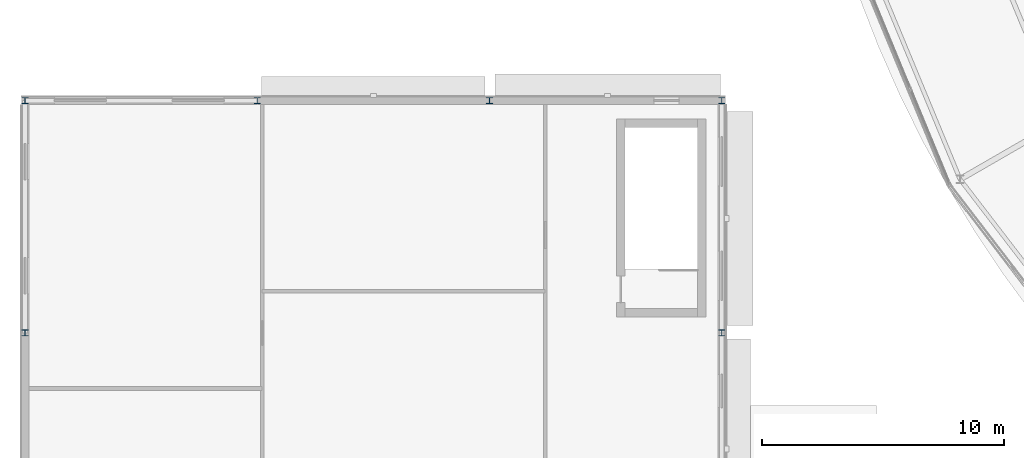
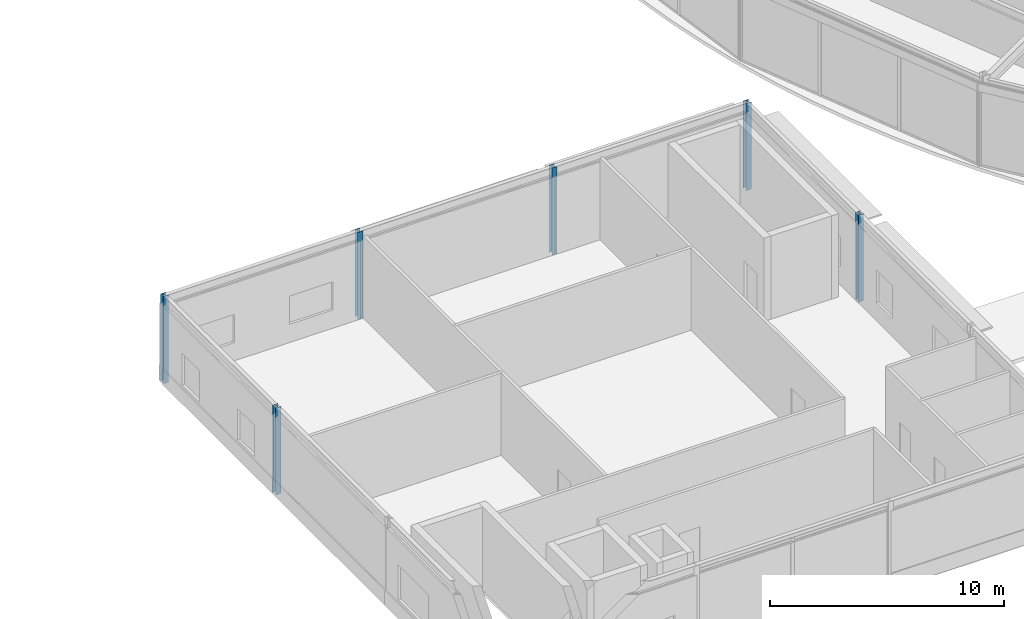
# One storey, part 2 of 133: 6 columns.
"""IFC4 building model written with IfcOpenShell, lengths in metres."""

import ifcopenshell
import ifcopenshell.guid

model = None  # the IFC model being written
_history = None  # IfcOwnerHistory: only IFC2X3 demands one
_inside = {}  # id of a spatial element -> (the spatial element, [elements in it])
_under = {}  # id of a project, library or spatial element -> (it, [spatial elements below it])
_declared = {}  # id of a project -> (the project, [libraries it declares])
_typed = {}  # id of a type object -> (the type object, [elements of that type])
_made_of = {}  # id of a material, layer set ... -> (it, [elements and type objects made of it])


def new_model(schema):
    """Start an empty IFC model of exactly this schema.

    Asked for "IFC4X3", IfcOpenShell would pick the latest addendum, in which some entities
    have other attributes; the version numbers below select the first issue.
    IFC2X3 requires an IfcOwnerHistory on every rooted entity: one is made here for all.
    """
    global model, _history
    if schema == "IFC4X3":
        model = ifcopenshell.file(schema_version=(4, 3, 0, 0))
    else:
        model = ifcopenshell.file(schema=schema)
    _inside.clear()
    _under.clear()
    _declared.clear()
    _typed.clear()
    _made_of.clear()
    _history = None
    if model.schema == "IFC2X3":
        org = make("IfcOrganization", Name="unknown")
        user = make(
            "IfcPersonAndOrganization",
            ThePerson=make("IfcPerson", FamilyName="unknown"),
            TheOrganization=org,
        )
        app = make(
            "IfcApplication",
            ApplicationDeveloper=org,
            Version="unknown",
            ApplicationFullName="unknown",
            ApplicationIdentifier="unknown",
        )
        _history = make(
            "IfcOwnerHistory",
            OwningUser=user,
            OwningApplication=app,
            ChangeAction="ADDED",
            CreationDate=0,
        )
    return model


def make(cls, **values):
    """One entity of the class cls with the attributes given. An attribute that is None is left unset."""
    return model.create_entity(
        cls, **{name: value for name, value in values.items() if value is not None}
    )


def rooted(cls, **values):
    """An entity with a GlobalId (a new one), such as an element, a storey or a relation."""
    return make(cls, GlobalId=ifcopenshell.guid.new(), OwnerHistory=_history, **values)


def si_unit(unit_type, name, prefix=None):
    """IfcSIUnit, for example si_unit("LENGTHUNIT", "METRE", prefix="MILLI")."""
    return make("IfcSIUnit", UnitType=unit_type, Prefix=prefix, Name=name)


def assignment(units):
    """IfcUnitAssignment: the units of a project."""
    return None if units is None else make("IfcUnitAssignment", Units=units)


def point(xyz):
    """IfcCartesianPoint."""
    return None if xyz is None else make("IfcCartesianPoint", Coordinates=xyz)


def direction(xyz):
    """IfcDirection."""
    return None if xyz is None else make("IfcDirection", DirectionRatios=xyz)


def frame(location, z_axis=None, x_axis=None):
    """IfcAxis2Placement3D, a coordinate frame: its origin and axes. An axis left out is left unset."""
    return make(
        "IfcAxis2Placement3D",
        Location=point(location),
        Axis=direction(z_axis),
        RefDirection=direction(x_axis),
    )


def frame_2d(location, x_axis=None):
    """IfcAxis2Placement2D, a coordinate frame in the plane: its origin and x axis."""
    return make(
        "IfcAxis2Placement2D", Location=point(location), RefDirection=direction(x_axis)
    )


def origin():
    """The frame at (0, 0, 0) with its axes left unset."""
    return frame((0.0, 0.0, 0.0))


def origin_2d():
    """The frame at (0, 0) in the plane with its x axis left unset."""
    return frame_2d((0.0, 0.0))


def place(relative_to, where):
    """IfcLocalPlacement: puts the frame where relative to a parent placement (None: the world)."""
    return make(
        "IfcLocalPlacement", PlacementRelTo=relative_to, RelativePlacement=where
    )


def context(
    kind, dimensions, precision=None, world=None, true_north=None, identifier=None
):
    """IfcGeometricRepresentationContext, for example the 3D "Model" context."""
    return make(
        "IfcGeometricRepresentationContext",
        ContextIdentifier=identifier,
        ContextType=kind,
        CoordinateSpaceDimension=dimensions,
        Precision=precision,
        WorldCoordinateSystem=world,
        TrueNorth=true_north,
    )


def subcontext(parent, identifier, kind, view, scale=None):
    """IfcGeometricRepresentationSubContext, for example "Body" below "Model"."""
    return make(
        "IfcGeometricRepresentationSubContext",
        ContextIdentifier=identifier,
        ContextType=kind,
        ParentContext=parent,
        TargetScale=scale,
        TargetView=view,
    )


def project(units=None, contexts=None):
    """IfcProject with its units and contexts."""
    return rooted(
        "IfcProject",
        Name="project",
        RepresentationContexts=contexts,
        UnitsInContext=assignment(units),
    )


def spatial(cls, under=None, at=None, **own):
    """A site, building, storey or space (cls), placed at a placement, below another one or the project."""
    s = rooted(cls, ObjectPlacement=at, **own)
    if under is not None:
        _under.setdefault(under.id(), (under, []))[1].append(s)
    return s


def profile(cls, at=None, kind="AREA", **sizes):
    """A parametric profile (cls). Its sizes go by their IFC names, for example OverallWidth=200.0."""
    return make(cls, ProfileType=kind, Position=at, **sizes)


def i_section(**sizes):
    """IfcIShapeProfileDef."""
    return profile("IfcIShapeProfileDef", **sizes)


def extrude(swept, where, along, depth):
    """IfcExtrudedAreaSolid: the profile swept, set in the frame where, extruded along a direction by depth."""
    return make(
        "IfcExtrudedAreaSolid",
        SweptArea=swept,
        Position=where,
        ExtrudedDirection=direction(along),
        Depth=depth,
    )


def shape(context_of_items, identifier, shape_type, items):
    """IfcShapeRepresentation: the items that make up one representation, for example the "Body"."""
    return make(
        "IfcShapeRepresentation",
        ContextOfItems=context_of_items,
        RepresentationIdentifier=identifier,
        RepresentationType=shape_type,
        Items=items,
    )


def material(Name=None, Category=None):
    """IfcMaterial."""
    return make("IfcMaterial", Name=Name, Category=Category)


def material_profile(
    of_material, cross_section, Name=None, Category=None, Priority=None
):
    """IfcMaterialProfile: a cross section and its material."""
    return make(
        "IfcMaterialProfile",
        Name=Name,
        Material=of_material,
        Profile=cross_section,
        Priority=Priority,
        Category=Category,
    )


def profile_set(profiles, Name=None, composite=None):
    """IfcMaterialProfileSet."""
    return make(
        "IfcMaterialProfileSet",
        Name=Name,
        MaterialProfiles=profiles,
        CompositeProfile=composite,
    )


def made_of(thing, what):
    """Note that an element or type object is made of a material, layer set ...; save() writes the relation."""
    if what is not None:
        _made_of.setdefault(what.id(), (what, []))[1].append(thing)
    return thing


def type_object(cls, material=None, **own):
    """A type object (cls), such as IfcWallType, which elements share."""
    return made_of(rooted(cls, **own), material)


def element(
    cls,
    number,
    at=None,
    inside=None,
    cuts=None,
    type_object=None,
    material=None,
    context=None,
    identifier="Body",
    shape_type=None,
    held_by="IfcProductDefinitionShape",
    body=None,
    shapes=None,
    **own,
):
    """One element of the class cls, such as IfcWall. Its Tag is "e" and its number.

    at: its placement. inside: the storey or other place that contains it. cuts: it is an
    opening in that element (IfcRelVoidsElement). A single representation is given by context,
    identifier, shape_type and body (its items); several are given by shapes. held_by: the class
    of the entity that holds the representations. save() writes the other relations.
    """
    e = rooted(cls, Tag="e%d" % number, ObjectPlacement=at, **own)
    if body is not None:
        shapes = [shape(context, identifier, shape_type, body)]
    if shapes is not None:
        e.Representation = make(held_by, Representations=shapes)
    if inside is not None:
        _inside.setdefault(inside.id(), (inside, []))[1].append(e)
    if cuts is not None:
        rooted(
            "IfcRelVoidsElement", RelatingBuildingElement=cuts, RelatedOpeningElement=e
        )
    if type_object is not None:
        _typed.setdefault(type_object.id(), (type_object, []))[1].append(e)
    return made_of(e, material)


def aggregate(whole, parts):
    """IfcRelAggregates: a whole, such as a stair, and the parts it consists of."""
    return rooted("IfcRelAggregates", RelatingObject=whole, RelatedObjects=parts)


def save(model, path):
    """Write the relations noted so far, then the file.

    IfcRelAggregates (storeys below a building ...), IfcRelContainedInSpatialStructure (elements
    in a storey), IfcRelDefinesByType, IfcRelAssociatesMaterial and IfcRelDeclares: one each for
    every whole, place, type object, material and project.
    """
    for whole, parts in _under.values():
        aggregate(whole, parts)
    for where, things in _inside.values():
        rooted(
            "IfcRelContainedInSpatialStructure",
            RelatedElements=things,
            RelatingStructure=where,
        )
    for kind, things in _typed.values():
        rooted("IfcRelDefinesByType", RelatedObjects=things, RelatingType=kind)
    for what, things in _made_of.values():
        rooted("IfcRelAssociatesMaterial", RelatedObjects=things, RelatingMaterial=what)
    for by, libraries in _declared.values():
        rooted("IfcRelDeclares", RelatingContext=by, RelatedDefinitions=libraries)
    model.write(path)


model = new_model("IFC4")

# Units and contexts
model_context = context("Model", 3, precision=1e-05, world=origin(), true_north=direction((0.0, 1.0)))
body_context = subcontext(model_context, "Body", "Model", "MODEL_VIEW")
ifc_project = project(units=[si_unit("LENGTHUNIT", "METRE"), si_unit("AREAUNIT", "SQUARE_METRE"), si_unit("VOLUMEUNIT", "CUBIC_METRE"), si_unit("PLANEANGLEUNIT", "RADIAN"), si_unit("MASSUNIT", "GRAM", prefix="KILO")], contexts=[model_context])

# Site, building, storey
site_placement = place(None, origin())
site = spatial("IfcSite", under=ifc_project, at=site_placement, CompositionType="ELEMENT")
building_placement = place(site_placement, origin())
building = spatial("IfcBuilding", under=site, at=building_placement, Name="Almandine Court Research Institute", CompositionType="ELEMENT")
storey_placement = place(building_placement, frame((0.0, 0.0, 9.800048828125)))
storey = spatial("IfcBuildingStorey", under=building, at=storey_placement, Name="L02", CompositionType="ELEMENT", Elevation=9.800048828125)

# Columns
ifc_material = material(Name="Steel ASTM A992 Grade 50", Category="steel")
ifc_material_profile = material_profile(ifc_material, i_section(OverallWidth=0.25390625, OverallDepth=0.2529296875, WebThickness=0.009033203125, FlangeThickness=0.013916015625, at=origin_2d()), Name="W250x73")
ifc_profile_set = profile_set([ifc_material_profile], Name="Steel ASTM A992 Grade 50")
column_type = type_object("IfcColumnType", Name="Col-C-W10-E", PredefinedType="COLUMN", material=ifc_profile_set)
for number, where, z_axis, x_axis, name in (
    (1, (6.0, 25.199951171875, 0.0), (0.0, 0.0, 1.0), (1.0, 0.0, 0.0), "L02 V1 Column V1-X1Y3"),
    (2, (6.0, 34.800048828125, 0.0), (0.0, 0.0, 1.0), (1.0, 0.0, 0.0), "L02 V1 Column V1-X1Y4"),
    (3, (15.60009765625, 34.800048828125, 0.0), (0.0, 0.0, 1.0), (1.0, 0.0, 0.0), "L02 V1 Column V1-X2Y4"),
    (4, (25.199951171875, 34.800048828125, 0.0), (0.0, 0.0, 1.0), (1.0, 0.0, 0.0), "L02 V1 Column V1-X3Y4"),
    (5, (34.800048828125, 25.199951171875, 0.0), (0.0, 0.0, 1.0), (1.0, 0.0, 0.0), "L02 V1 Column V1-X4Y3"),
    (6, (34.800048828125, 34.800048828125, 0.0), (0.0, 0.0, 1.0), (1.0, 0.0, 0.0), "L02 V1 Column V1-X4Y4"),
):
    element("IfcColumn", number, at=place(storey_placement, frame(where, z_axis=z_axis, x_axis=x_axis)), inside=storey, type_object=column_type, Name=name, PredefinedType="COLUMN", context=body_context, shape_type="SweptSolid", body=[
        extrude(i_section(OverallWidth=0.25390625, OverallDepth=0.2529296875, WebThickness=0.009033203125, FlangeThickness=0.013916015625, at=origin_2d()), origin(), (0.0, 0.0, 1.0), 4.550048828125),
    ])

save(model, "model.ifc")
